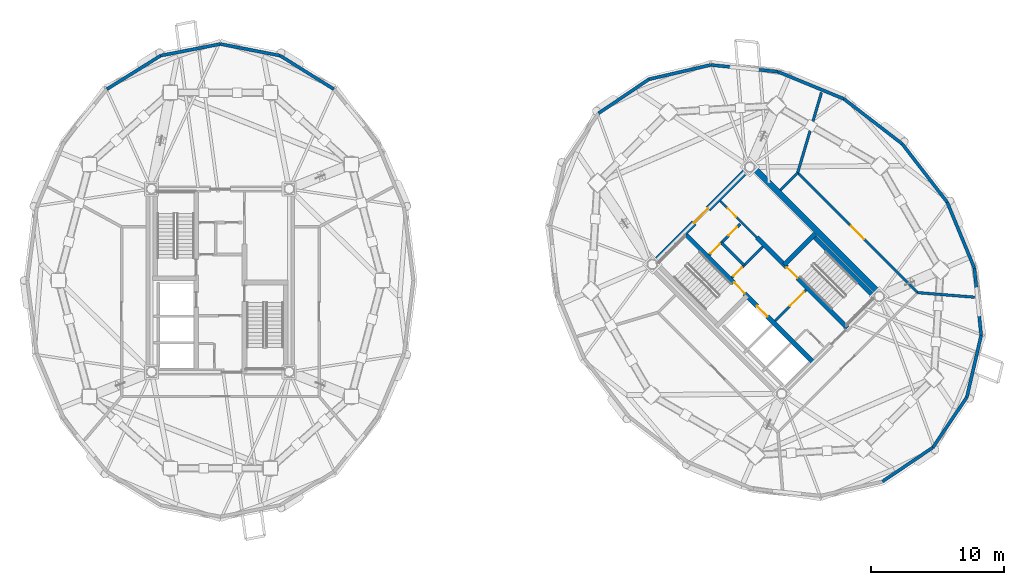
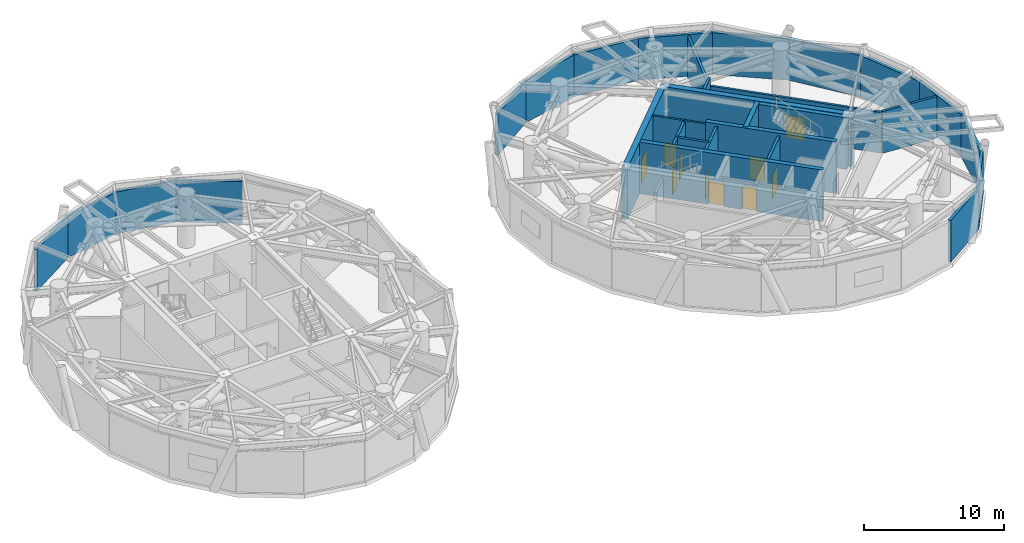
# One storey, part 12 of 16: 30 walls, 10 doors, 10 openings.
"""IFC4 building model written with IfcOpenShell, lengths in metres."""

from ifc_helpers import new_model, si_unit, direction, frame, frame_2d, origin, place, context, subcontext, project, spatial, rectangle, extrude, source, transform, mapped, material, layer, layer_set, type_object, element, fill, save


model = new_model("IFC4")

# Units and contexts
model_context = context("Model", 3, precision=1e-05, world=origin(), true_north=direction((0.0, 1.0)))
body_context = subcontext(model_context, "Body", "Model", "MODEL_VIEW")
ifc_project = project(units=[si_unit("LENGTHUNIT", "METRE"), si_unit("AREAUNIT", "SQUARE_METRE"), si_unit("VOLUMEUNIT", "CUBIC_METRE"), si_unit("PLANEANGLEUNIT", "RADIAN"), si_unit("MASSUNIT", "GRAM", prefix="KILO")], contexts=[model_context])

# Site, building, storey
site_placement = place(None, origin())
site = spatial("IfcSite", under=ifc_project, at=site_placement, CompositionType="ELEMENT")
building_placement = place(site_placement, origin())
building = spatial("IfcBuilding", under=site, at=building_placement, Name="Cununo Teusaquillo Station Towers", CompositionType="ELEMENT")
storey_placement = place(building_placement, frame((0.0, 0.0, 147.10009765625)))
storey = spatial("IfcBuildingStorey", under=building, at=storey_placement, Name="L46", CompositionType="ELEMENT", Elevation=147.10009765625)

# Wall, openings, doors
ifc_material_1 = material(Name="Concrete C50/60", Category="concrete")
ifc_layer_1 = layer(ifc_material_1, 0.35009765625)
ifc_layer_set_1 = layer_set([ifc_layer_1], Name="Concrete C50/60")
wall_type_1 = type_object("IfcWallType", Name="WL-CORE-350", PredefinedType="SHEAR", material=ifc_layer_set_1)
wall_1_placement = place(storey_placement, frame((61.077880859375, 18.355224609375, 0.0), z_axis=(0.0, 0.0, 1.0), x_axis=(-0.707106781187, 0.707106781187, 0.0)))
wall_1 = element("IfcWall", 1, at=wall_1_placement, inside=storey, type_object=wall_type_1, Name="L46 Tower B Core Shear Wall IW", PredefinedType="SHEAR", context=body_context, shape_type="SweptSolid", body=[
    extrude(rectangle(XDim=13.75, YDim=0.35009765625, at=frame_2d((6.875, 0.0))), origin(), (0.0, 0.0, 1.0), 4.5),
])
shared_shape_1 = source(origin(), body_context, "Body", "SweptSolid", [
    extrude(rectangle(XDim=1.10009765625, YDim=2.014892578125, at=frame_2d((0.550048828125, 1.00732421875))), frame((0.0, 0.18505859375, 0.0), z_axis=(0.0, -1.0, 0.0), x_axis=(1.0, 0.0, 0.0)), (0.0, 0.0, 1.0), 0.3701171875),
])
opening_1_placement = place(wall_1_placement, frame((4.875, 0.0, 0.0)))
opening_1 = element("IfcOpeningElement", 2, at=opening_1_placement, cuts=wall_1, Name="Opening LD-01", PredefinedType="OPENING", context=body_context, shape_type="MappedRepresentation", body=[
    mapped(shared_shape_1, transform((0.0, 0.0, 0.0), x_axis=(1.0, 0.0, 0.0), y_axis=(0.0, 1.0, 0.0), z_axis=(0.0, 0.0, 1.0), scale=1.0)),
])
shared_shape_2 = source(origin(), body_context, "Body", "SweptSolid", [
    extrude(rectangle(XDim=1.14990234375, YDim=2.02001953125, at=frame_2d((0.574951171875, 1.010009765625))), frame((0.0, 0.18505859375, 0.0), z_axis=(0.0, -1.0, 0.0), x_axis=(1.0, 0.0, 0.0)), (0.0, 0.0, 1.0), 0.3701171875),
])
opening_2_placement = place(wall_1_placement, frame((7.294921875, 0.0, 0.0)))
opening_2 = element("IfcOpeningElement", 3, at=opening_2_placement, cuts=wall_1, Name="Opening D-ST1", PredefinedType="OPENING", context=body_context, shape_type="MappedRepresentation", body=[
    mapped(shared_shape_2, transform((0.0, 0.0, 0.0), x_axis=(1.0, 0.0, 0.0), y_axis=(0.0, 1.0, 0.0), z_axis=(0.0, 0.0, 1.0), scale=1.0)),
])
ifc_material_2 = material(Name="Galvanised fire-rated hollow steel door assembly", Category="steel")
door_type_1 = type_object("IfcDoorType", Name="DR-LIFT-1100", OperationType="SLIDING_TO_LEFT", PredefinedType="DOOR", material=ifc_material_2)
shared_shape_3 = source(origin(), body_context, "Body", "SweptSolid", [
    extrude(rectangle(XDim=1.10009765625, YDim=2.014892578125, at=frame_2d((0.550048828125, 1.00732421875))), frame((0.0, 0.02490234375, 0.0), z_axis=(0.0, -1.0, 0.0), x_axis=(1.0, 0.0, 0.0)), (0.0, 0.0, 1.0), 0.050048828125),
])
door_1_placement = place(opening_1_placement, origin())
door_1 = element("IfcDoor", 4, at=door_1_placement, inside=storey, type_object=door_type_1, Name="L46 Lift FL-T2 Sliding Landing Door", OperationType="SLIDING_TO_RIGHT", OverallHeight=2.014892578125, OverallWidth=1.10009765625, PredefinedType="DOOR", context=body_context, shape_type="MappedRepresentation", body=[
    mapped(shared_shape_3, transform((0.0, 0.0, 0.0), x_axis=(1.0, 0.0, 0.0), y_axis=(0.0, 1.0, 0.0), z_axis=(0.0, 0.0, 1.0), scale=1.0)),
])
fill(opening_1, door_1)
ifc_material_3 = material(Name="Galvanised fire-rated hollow steel door assembly", Category="steel")
door_type_2 = type_object("IfcDoorType", Name="DR-STAIR-1150", OperationType="NOTDEFINED", PredefinedType="DOOR", material=ifc_material_3)
shared_shape_4 = source(origin(), body_context, "Body", "SweptSolid", [
    extrude(rectangle(XDim=1.14990234375, YDim=2.02001953125, at=frame_2d((0.574951171875, 1.010009765625))), frame((0.0, 0.02490234375, 0.0), z_axis=(0.0, -1.0, 0.0), x_axis=(1.0, 0.0, 0.0)), (0.0, 0.0, 1.0), 0.050048828125),
])
door_2_placement = place(opening_2_placement, origin())
door_2 = element("IfcDoor", 5, at=door_2_placement, inside=storey, type_object=door_type_2, Name="L46 Tower B Exit Stair 1 Fire Door", OperationType="SINGLE_SWING_RIGHT", OverallHeight=2.02001953125, OverallWidth=1.14990234375, PredefinedType="DOOR", context=body_context, shape_type="MappedRepresentation", body=[
    mapped(shared_shape_4, transform((0.0, 0.0, 0.0), x_axis=(1.0, 0.0, 0.0), y_axis=(0.0, 1.0, 0.0), z_axis=(0.0, 0.0, 1.0), scale=1.0)),
])
fill(opening_2, door_2)

# Wall, opening, door
wall_2_placement = place(storey_placement, frame((63.644775390625, 20.922119140625, 0.0), z_axis=(0.0, 0.0, 1.0), x_axis=(-0.70711946392, 0.707094098226, 0.0)))
wall_2 = element("IfcWall", 6, at=wall_2_placement, inside=storey, type_object=wall_type_1, Name="L46 Tower B Core Shear Wall IE", PredefinedType="SHEAR", context=body_context, shape_type="SweptSolid", body=[
    extrude(rectangle(XDim=9.624755859375, YDim=0.35009765625, at=frame_2d((4.8125, 0.0))), origin(), (0.0, 0.0, 1.0), 4.5),
])
opening_3_placement = place(wall_2_placement, frame((5.304931640625, 0.0, 0.0)))
opening_3 = element("IfcOpeningElement", 7, at=opening_3_placement, cuts=wall_2, Name="Opening D-ST1", PredefinedType="OPENING", context=body_context, shape_type="MappedRepresentation", body=[
    mapped(shared_shape_2, transform((0.0, 0.0, 0.0), x_axis=(1.0, 0.0, 0.0), y_axis=(0.0, 1.0, 0.0), z_axis=(0.0, 0.0, 1.0), scale=1.0)),
])
door_3_placement = place(opening_3_placement, origin())
door_3 = element("IfcDoor", 8, at=door_3_placement, inside=storey, type_object=door_type_2, Name="L46 Tower B Exit Stair 2 Fire Door", OperationType="SINGLE_SWING_LEFT", OverallHeight=2.02001953125, OverallWidth=1.14990234375, PredefinedType="DOOR", context=body_context, shape_type="MappedRepresentation", body=[
    mapped(shared_shape_4, transform((0.0, 0.0, 0.0), x_axis=(1.0, 0.0, 0.0), y_axis=(0.0, 1.0, 0.0), z_axis=(0.0, 0.0, 1.0), scale=1.0)),
])
fill(opening_3, door_3)

# Walls
wall_3_placement = place(storey_placement, frame((65.82958984375, 23.10693359375, 0.0), z_axis=(0.0, 0.0, 1.0), x_axis=(-0.707088616009, 0.707124945897, 0.0)))
element("IfcWall", 9, at=wall_3_placement, inside=storey, type_object=wall_type_1, Name="L46 Tower B Core Shear Wall ST2E", PredefinedType="SHEAR", context=body_context, shape_type="SweptSolid", body=[
    extrude(rectangle(XDim=6.72021484375, YDim=0.35009765625, at=frame_2d((3.360107421875, 0.0))), origin(), (0.0, 0.0, 1.0), 4.5),
])
wall_4_placement = place(storey_placement, frame((58.89306640625, 25.673828125, 0.0), z_axis=(0.0, 0.0, 1.0), x_axis=(0.707106781187, 0.707106781187, 0.0)))
element("IfcWall", 10, at=wall_4_placement, inside=storey, type_object=wall_type_1, Name="L46 Tower B Core Shear Wall ST2N", PredefinedType="SHEAR", context=body_context, shape_type="SweptSolid", body=[
    extrude(rectangle(XDim=3.284912109375, YDim=0.35009765625, at=frame_2d((1.642578125, 0.0))), origin(), (0.0, 0.0, 1.0), 4.5),
])
ifc_material_4 = material(Name="Concrete C60/75", Category="concrete")
ifc_layer_2 = layer(ifc_material_4, 0.449951171875)
ifc_layer_set_2 = layer_set([ifc_layer_2], Name="Concrete C60/75")
wall_type_2 = type_object("IfcWallType", Name="WL-CORE-450", PredefinedType="SHEAR", material=ifc_layer_set_2)
wall_5_placement = place(storey_placement, frame((66.303466796875, 23.2626953125, 0.0), z_axis=(0.0, 0.0, 1.0), x_axis=(-0.707106781187, 0.707106781187, 0.0)))
element("IfcWall", 11, at=wall_5_placement, inside=storey, type_object=wall_type_2, Name="L46 Tower B Core Shear Wall E", PredefinedType="SHEAR", context=body_context, shape_type="SweptSolid", body=[
    extrude(rectangle(XDim=14.19970703125, YDim=0.449951171875, at=frame_2d((7.099853515625, 0.0))), origin(), (0.0, 0.0, 1.0), 4.5),
])

# Wall, opening, door
wall_6_placement = place(storey_placement, frame((48.855712890625, 25.578369140625, 0.0), z_axis=(0.0, 0.0, 1.0), x_axis=(0.707106781187, 0.707106781187, 0.0)))
wall_6 = element("IfcWall", 12, at=wall_6_placement, inside=storey, type_object=wall_type_2, Name="L46 Tower B Core Shear Wall N", PredefinedType="SHEAR", context=body_context, shape_type="SweptSolid", body=[
    extrude(rectangle(XDim=10.69970703125, YDim=0.449951171875, at=frame_2d((5.349853515625, 0.0))), origin(), (0.0, 0.0, 1.0), 4.5),
])
shared_shape_5 = source(origin(), body_context, "Body", "SweptSolid", [
    extrude(rectangle(XDim=1.5, YDim=2.02001953125, at=frame_2d((0.75, 1.010009765625))), frame((0.0, 0.23486328125, 0.0), z_axis=(0.0, -1.0, 0.0), x_axis=(1.0, 0.0, 0.0)), (0.0, 0.0, 1.0), 0.469970703125),
])
opening_4_placement = place(wall_6_placement, frame((4.60009765625, 0.0, 0.0)))
opening_4 = element("IfcOpeningElement", 13, at=opening_4_placement, cuts=wall_6, Name="Opening D-LB1", PredefinedType="OPENING", context=body_context, shape_type="MappedRepresentation", body=[
    mapped(shared_shape_5, transform((0.0, 0.0, 0.0), x_axis=(1.0, 0.0, 0.0), y_axis=(0.0, 1.0, 0.0), z_axis=(0.0, 0.0, 1.0), scale=1.0)),
])
ifc_material_5 = material(Name="Galvanised fire-rated hollow steel door assembly", Category="steel")
door_type_3 = type_object("IfcDoorType", Name="DR-LOBBY-1500", OperationType="DOUBLE_DOOR_SINGLE_SWING", PredefinedType="DOOR", material=ifc_material_5)
shared_shape_6 = source(origin(), body_context, "Body", "SweptSolid", [
    extrude(rectangle(XDim=1.5, YDim=2.02001953125, at=frame_2d((0.75, 1.010009765625))), frame((0.0, 0.02490234375, 0.0), z_axis=(0.0, -1.0, 0.0), x_axis=(1.0, 0.0, 0.0)), (0.0, 0.0, 1.0), 0.050048828125),
])
door_4_placement = place(opening_4_placement, origin())
door_4 = element("IfcDoor", 14, at=door_4_placement, inside=storey, type_object=door_type_3, Name="L46 Tower B North Core Lift Lobby Door", OperationType="DOUBLE_DOOR_SINGLE_SWING", OverallHeight=2.02001953125, OverallWidth=1.5, PredefinedType="DOOR", context=body_context, shape_type="MappedRepresentation", body=[
    mapped(shared_shape_6, transform((0.0, 0.0, 0.0), x_axis=(1.0, 0.0, 0.0), y_axis=(0.0, 1.0, 0.0), z_axis=(0.0, 0.0, 1.0), scale=1.0)),
])
fill(opening_4, door_4)

# Walls
ifc_material_6 = material(Name="Precast concrete C40/50", Category="concrete")
ifc_layer_3 = layer(ifc_material_6, 0.239990234375)
ifc_layer_set_3 = layer_set([ifc_layer_3], Name="Precast concrete C40/50")
wall_type_3 = type_object("IfcWallType", Name="WL-EXT-240", PredefinedType="SOLIDWALL", material=ifc_layer_set_3)
wall_7_placement = place(storey_placement, frame((20.9853515625, 41.400390625, 0.0), z_axis=(0.0, 0.0, 1.0), x_axis=(0.848452391194, -0.529271707044, 0.0)))
element("IfcWall", 15, at=wall_7_placement, inside=storey, type_object=wall_type_3, Name="L46 Tower A Exterior Facade Wall C03", PredefinedType="SOLIDWALL", context=body_context, shape_type="SweptSolid", body=[
    extrude(rectangle(XDim=4.76904296875, YDim=0.239990234375, at=frame_2d((2.384521484375, 0.0))), origin(), (0.0, 0.0, 1.0), 3.635986328125),
])
for number, where, z_axis, x_axis, name in (
    (16, (16.5, 42.27001953125, 0.0), (0.0, 0.0, 1.0), (0.981718699963, -0.190337579429, 0.0), "L46 Tower A Exterior Facade Wall C04"),
    (17, (12.0146484375, 41.400390625, 0.0), (0.0, 0.0, 1.0), (0.981718699963, 0.190337579429, 0.0), "L46 Tower A Exterior Facade Wall C05"),
):
    element("IfcWall", number, at=place(storey_placement, frame(where, z_axis=z_axis, x_axis=x_axis)), inside=storey, type_object=wall_type_3, Name=name, PredefinedType="SOLIDWALL", context=body_context, shape_type="SweptSolid", body=[
        extrude(rectangle(XDim=4.56884765625, YDim=0.239990234375, at=frame_2d((2.284423828125, 0.0))), origin(), (0.0, 0.0, 1.0), 3.635986328125),
    ])
wall_8_placement = place(storey_placement, frame((7.96826171875, 38.876220703125, 0.0), z_axis=(0.0, 0.0, 1.0), x_axis=(0.848452391194, 0.529271707044, 0.0)))
element("IfcWall", 18, at=wall_8_placement, inside=storey, type_object=wall_type_3, Name="L46 Tower A Exterior Facade Wall C06", PredefinedType="SOLIDWALL", context=body_context, shape_type="SweptSolid", body=[
    extrude(rectangle(XDim=4.76904296875, YDim=0.239990234375, at=frame_2d((2.384521484375, 0.0))), origin(), (0.0, 0.0, 1.0), 3.635986328125),
])
wall_9_placement = place(storey_placement, frame((63.37841796875, 38.144287109375, 0.0), z_axis=(0.0, 0.0, 1.0), x_axis=(0.791982658323, -0.610543584779, 0.0)))
element("IfcWall", 19, at=wall_9_placement, inside=storey, type_object=wall_type_3, Name="L46 Tower B Exterior Facade Wall C00", PredefinedType="SOLIDWALL", context=body_context, shape_type="SweptSolid", body=[
    extrude(rectangle(XDim=5.537109375, YDim=0.239990234375, at=frame_2d((2.7685546875, 0.0))), origin(), (0.0, 0.0, 1.0), 3.635986328125),
])
wall_10_placement = place(storey_placement, frame((58.417724609375, 40.189208984375, 0.0), z_axis=(0.0, 0.0, 1.0), x_axis=(0.924528197738, -0.38111364655, 0.0)))
element("IfcWall", 20, at=wall_10_placement, inside=storey, type_object=wall_type_3, Name="L46 Tower B Exterior Facade Wall C01", PredefinedType="SOLIDWALL", context=body_context, shape_type="SweptSolid", body=[
    extrude(rectangle(XDim=5.36572265625, YDim=0.239990234375, at=frame_2d((2.682861328125, 0.0))), origin(), (0.0, 0.0, 1.0), 3.635986328125),
])
wall_11_placement = place(storey_placement, frame((53.3671875, 40.6982421875, 0.0), z_axis=(0.0, 0.0, 1.0), x_axis=(0.994959267396, -0.100279889424, 0.0)))
element("IfcWall", 21, at=wall_11_placement, inside=storey, type_object=wall_type_3, Name="L46 Tower B Exterior Facade Wall C02", PredefinedType="SOLIDWALL", context=body_context, shape_type="SweptSolid", body=[
    extrude(rectangle(XDim=5.076171875, YDim=0.239990234375, at=frame_2d((2.5380859375, 0.0))), origin(), (0.0, 0.0, 1.0), 3.635986328125),
])
wall_12_placement = place(storey_placement, frame((48.72119140625, 39.6220703125, 0.0), z_axis=(0.0, 0.0, 1.0), x_axis=(0.974206226622, 0.225659540039, 0.0)))
element("IfcWall", 22, at=wall_12_placement, inside=storey, type_object=wall_type_3, Name="L46 Tower B Exterior Facade Wall C03", PredefinedType="SOLIDWALL", context=body_context, shape_type="SweptSolid", body=[
    extrude(rectangle(XDim=4.76904296875, YDim=0.239990234375, at=frame_2d((2.384521484375, 0.0))), origin(), (0.0, 0.0, 1.0), 3.635986328125),
])
for number, where, z_axis, x_axis, name in (
    (23, (44.934814453125, 37.065185546875, 0.0), (0.0, 0.0, 1.0), (0.828739009952, 0.559635286042, 0.0), "L46 Tower B Exterior Facade Wall C04"),
    (24, (70.065185546875, 11.934814453125, 0.0), (0.0, 0.0, 1.0), (-0.828739009952, -0.559635286042, 0.0), "L46 Tower B Exterior Facade Wall C14"),
    (25, (72.6220703125, 15.72119140625, 0.0), (0.0, 0.0, 1.0), (-0.559635286042, -0.828739009952, 0.0), "L46 Tower B Exterior Facade Wall C15"),
):
    element("IfcWall", number, at=place(storey_placement, frame(where, z_axis=z_axis, x_axis=x_axis)), inside=storey, type_object=wall_type_3, Name=name, PredefinedType="SOLIDWALL", context=body_context, shape_type="SweptSolid", body=[
        extrude(rectangle(XDim=4.56884765625, YDim=0.239990234375, at=frame_2d((2.284423828125, 0.0))), origin(), (0.0, 0.0, 1.0), 3.635986328125),
    ])
wall_13_placement = place(storey_placement, frame((73.6982421875, 20.3671875, 0.0), z_axis=(0.0, 0.0, 1.0), x_axis=(-0.225659540039, -0.974206226622, 0.0)))
element("IfcWall", 26, at=wall_13_placement, inside=storey, type_object=wall_type_3, Name="L46 Tower B Exterior Facade Wall C16", PredefinedType="SOLIDWALL", context=body_context, shape_type="SweptSolid", body=[
    extrude(rectangle(XDim=4.76904296875, YDim=0.239990234375, at=frame_2d((2.384521484375, 0.0))), origin(), (0.0, 0.0, 1.0), 3.635986328125),
])
wall_14_placement = place(storey_placement, frame((73.189208984375, 25.417724609375, 0.0), z_axis=(0.0, 0.0, 1.0), x_axis=(0.100279889424, -0.994959267396, 0.0)))
element("IfcWall", 27, at=wall_14_placement, inside=storey, type_object=wall_type_3, Name="L46 Tower B Exterior Facade Wall C17", PredefinedType="SOLIDWALL", context=body_context, shape_type="SweptSolid", body=[
    extrude(rectangle(XDim=5.076171875, YDim=0.239990234375, at=frame_2d((2.5380859375, 0.0))), origin(), (0.0, 0.0, 1.0), 3.635986328125),
])
wall_15_placement = place(storey_placement, frame((71.144287109375, 30.37841796875, 0.0), z_axis=(0.0, 0.0, 1.0), x_axis=(0.38111364655, -0.924528197738, 0.0)))
element("IfcWall", 28, at=wall_15_placement, inside=storey, type_object=wall_type_3, Name="L46 Tower B Exterior Facade Wall C18", PredefinedType="SOLIDWALL", context=body_context, shape_type="SweptSolid", body=[
    extrude(rectangle(XDim=5.36572265625, YDim=0.239990234375, at=frame_2d((2.682861328125, 0.0))), origin(), (0.0, 0.0, 1.0), 3.635986328125),
])
wall_16_placement = place(storey_placement, frame((67.763671875, 34.763671875, 0.0), z_axis=(0.0, 0.0, 1.0), x_axis=(0.610543584779, -0.791982658323, 0.0)))
element("IfcWall", 29, at=wall_16_placement, inside=storey, type_object=wall_type_3, Name="L46 Tower B Exterior Facade Wall C19", PredefinedType="SOLIDWALL", context=body_context, shape_type="SweptSolid", body=[
    extrude(rectangle(XDim=5.537109375, YDim=0.239990234375, at=frame_2d((2.7685546875, 0.0))), origin(), (0.0, 0.0, 1.0), 3.635986328125),
])

# Wall, opening, door
ifc_material_7 = material(Name="Fire-rated gypsum plasterboard partition assembly", Category="gypsum")
ifc_layer_4 = layer(ifc_material_7, 0.159912109375)
ifc_layer_set_4 = layer_set([ifc_layer_4], Name="Fire-rated gypsum plasterboard partition assembly")
wall_type_4 = type_object("IfcWallType", Name="WL-PART-160", PredefinedType="PARTITIONING", material=ifc_layer_set_4)
wall_17_placement = place(storey_placement, frame((56.8388671875, 27.727783203125, 0.0), z_axis=(0.0, 0.0, 1.0), x_axis=(-0.707106781187, 0.707106781187, 0.0)))
wall_17 = element("IfcWall", 30, at=wall_17_placement, inside=storey, type_object=wall_type_4, Name="L46 Tower B Reclaimed Core Bay Entry Wall", PredefinedType="PARTITIONING", context=body_context, shape_type="SweptSolid", body=[
    extrude(rectangle(XDim=3.900146484375, YDim=0.159912109375, at=frame_2d((1.9501953125, 0.0))), origin(), (0.0, 0.0, 1.0), 4.264892578125),
])
shared_shape_7 = source(origin(), body_context, "Body", "SweptSolid", [
    extrude(rectangle(XDim=0.89990234375, YDim=2.0048828125, at=frame_2d((0.449951171875, 1.00244140625))), frame((0.0, 0.08984375, 0.0), z_axis=(0.0, -1.0, 0.0), x_axis=(1.0, 0.0, 0.0)), (0.0, 0.0, 1.0), 0.179931640625),
])
opening_5_placement = place(wall_17_placement, frame((2.199951171875, 0.0, 0.0)))
opening_5 = element("IfcOpeningElement", 31, at=opening_5_placement, cuts=wall_17, Name="Opening D-IN1", PredefinedType="OPENING", context=body_context, shape_type="MappedRepresentation", body=[
    mapped(shared_shape_7, transform((0.0, 0.0, 0.0), x_axis=(1.0, 0.0, 0.0), y_axis=(0.0, 1.0, 0.0), z_axis=(0.0, 0.0, 1.0), scale=1.0)),
])
ifc_material_8 = material(Name="Acoustic solid-core hardwood leaf assembly", Category="wood")
door_type_4 = type_object("IfcDoorType", Name="DR-INT-900", OperationType="NOTDEFINED", PredefinedType="DOOR", material=ifc_material_8)
shared_shape_8 = source(origin(), body_context, "Body", "SweptSolid", [
    extrude(rectangle(XDim=0.89990234375, YDim=2.0048828125, at=frame_2d((0.449951171875, 1.00244140625))), frame((0.0, 0.02490234375, 0.0), z_axis=(0.0, -1.0, 0.0), x_axis=(1.0, 0.0, 0.0)), (0.0, 0.0, 1.0), 0.050048828125),
])
door_5_placement = place(opening_5_placement, origin())
door_5 = element("IfcDoor", 32, at=door_5_placement, inside=storey, type_object=door_type_4, Name="L46 Tower B Reclaimed Core Lounge Door", OperationType="SINGLE_SWING_RIGHT", OverallHeight=2.0048828125, OverallWidth=0.89990234375, PredefinedType="DOOR", context=body_context, shape_type="MappedRepresentation", body=[
    mapped(shared_shape_8, transform((0.0, 0.0, 0.0), x_axis=(1.0, 0.0, 0.0), y_axis=(0.0, 1.0, 0.0), z_axis=(0.0, 0.0, 1.0), scale=1.0)),
])
fill(opening_5, door_5)

ifc_material_9 = material(Name="Fire-rated gypsum plasterboard partition assembly", Category="gypsum")
ifc_layer_5 = layer(ifc_material_9, 0.179931640625)
ifc_layer_set_5 = layer_set([ifc_layer_5], Name="Fire-rated gypsum plasterboard partition assembly")
wall_type_5 = type_object("IfcWallType", Name="WL-PART-180", PredefinedType="PARTITIONING", material=ifc_layer_set_5)
wall_18_placement = place(storey_placement, frame((68.919921875, 23.580810546875, 0.0), z_axis=(0.0, 0.0, 1.0), x_axis=(-0.707106781187, 0.707106781187, 0.0)))
wall_18 = element("IfcWall", 33, at=wall_18_placement, inside=storey, type_object=wall_type_5, Name="L46 Tower B Protected Plant Corridor Wall E", PredefinedType="PARTITIONING", context=body_context, shape_type="SweptSolid", body=[
    extrude(rectangle(XDim=12.75, YDim=0.179931640625, at=frame_2d((6.375, 0.0))), origin(), (0.0, 0.0, 1.0), 3.555908203125),
])
shared_shape_9 = source(origin(), body_context, "Body", "SweptSolid", [
    extrude(rectangle(XDim=1.39990234375, YDim=2.02001953125, at=frame_2d((0.699951171875, 1.010009765625))), frame((0.0, 0.099853515625, 0.0), z_axis=(0.0, -1.0, 0.0), x_axis=(1.0, 0.0, 0.0)), (0.0, 0.0, 1.0), 0.199951171875),
])
opening_6_placement = place(wall_18_placement, frame((5.675048828125, 0.0, 0.0)))
opening_6 = element("IfcOpeningElement", 34, at=opening_6_placement, cuts=wall_18, Name="Opening D-PL1", PredefinedType="OPENING", context=body_context, shape_type="MappedRepresentation", body=[
    mapped(shared_shape_9, transform((0.0, 0.0, 0.0), x_axis=(1.0, 0.0, 0.0), y_axis=(0.0, 1.0, 0.0), z_axis=(0.0, 0.0, 1.0), scale=1.0)),
])
ifc_material_10 = material(Name="Galvanised fire-rated hollow steel door assembly", Category="steel")
door_type_5 = type_object("IfcDoorType", Name="DR-PLANT-1400", OperationType="NOTDEFINED", PredefinedType="DOOR", material=ifc_material_10)
shared_shape_10 = source(origin(), body_context, "Body", "SweptSolid", [
    extrude(rectangle(XDim=1.39990234375, YDim=2.02001953125, at=frame_2d((0.699951171875, 1.010009765625))), frame((0.0, 0.02490234375, 0.0), z_axis=(0.0, -1.0, 0.0), x_axis=(1.0, 0.0, 0.0)), (0.0, 0.0, 1.0), 0.050048828125),
])
door_6_placement = place(opening_6_placement, origin())
door_6 = element("IfcDoor", 35, at=door_6_placement, inside=storey, type_object=door_type_5, Name="L46 Tower B Plant Room E Double Door", OperationType="SINGLE_SWING_LEFT", OverallHeight=2.02001953125, OverallWidth=1.39990234375, PredefinedType="DOOR", context=body_context, shape_type="MappedRepresentation", body=[
    mapped(shared_shape_10, transform((0.0, 0.0, 0.0), x_axis=(1.0, 0.0, 0.0), y_axis=(0.0, 1.0, 0.0), z_axis=(0.0, 0.0, 1.0), scale=1.0)),
])
fill(opening_6, door_6)

ifc_material_11 = material(Name="Fire-rated gypsum plasterboard partition assembly", Category="gypsum")
ifc_layer_6 = layer(ifc_material_11, 0.199951171875)
ifc_layer_set_6 = layer_set([ifc_layer_6], Name="Fire-rated gypsum plasterboard partition assembly")
wall_type_6 = type_object("IfcWallType", Name="WL-PART-200", PredefinedType="PARTITIONING", material=ifc_layer_set_6)
wall_19_placement = place(storey_placement, frame((58.214111328125, 21.466552734375, 0.0), z_axis=(0.0, 0.0, 1.0), x_axis=(0.707106781187, 0.707106781187, 0.0)))
wall_19 = element("IfcWall", 36, at=wall_19_placement, inside=storey, type_object=wall_type_6, Name="L46 Tower B Firefighting Lift Lobby South Fire Wall", PredefinedType="PARTITIONING", context=body_context, shape_type="SweptSolid", body=[
    extrude(rectangle(XDim=3.280029296875, YDim=0.199951171875, at=frame_2d((1.64013671875, 0.0))), origin(), (0.0, 0.0, 1.0), 4.264892578125),
])
shared_shape_11 = source(origin(), body_context, "Body", "SweptSolid", [
    extrude(rectangle(XDim=1.5, YDim=2.02001953125, at=frame_2d((0.75, 1.010009765625))), frame((0.0, 0.10986328125, 0.0), z_axis=(0.0, -1.0, 0.0), x_axis=(1.0, 0.0, 0.0)), (0.0, 0.0, 1.0), 0.219970703125),
])
opening_7_placement = place(wall_19_placement, frame((1.550048828125, 0.0, 0.0)))
opening_7 = element("IfcOpeningElement", 37, at=opening_7_placement, cuts=wall_19, Name="Opening D-LB1", PredefinedType="OPENING", context=body_context, shape_type="MappedRepresentation", body=[
    mapped(shared_shape_11, transform((0.0, 0.0, 0.0), x_axis=(1.0, 0.0, 0.0), y_axis=(0.0, 1.0, 0.0), z_axis=(0.0, 0.0, 1.0), scale=1.0)),
])
door_7_placement = place(opening_7_placement, origin())
door_7 = element("IfcDoor", 38, at=door_7_placement, inside=storey, type_object=door_type_3, Name="L46 Tower B Firefighting Lift Lobby South Fire Door", OperationType="DOUBLE_DOOR_SINGLE_SWING", OverallHeight=2.02001953125, OverallWidth=1.5, PredefinedType="DOOR", context=body_context, shape_type="MappedRepresentation", body=[
    mapped(shared_shape_6, transform((0.0, 0.0, 0.0), x_axis=(1.0, 0.0, 0.0), y_axis=(0.0, 1.0, 0.0), z_axis=(0.0, 0.0, 1.0), scale=1.0)),
])
fill(opening_7, door_7)

wall_20_placement = place(storey_placement, frame((54.96142578125, 24.71923828125, 0.0), z_axis=(0.0, 0.0, 1.0), x_axis=(0.707106781187, 0.707106781187, 0.0)))
wall_20 = element("IfcWall", 39, at=wall_20_placement, inside=storey, type_object=wall_type_6, Name="L46 Tower B Firefighting Lift Lobby North Fire Wall", PredefinedType="PARTITIONING", context=body_context, shape_type="SweptSolid", body=[
    extrude(rectangle(XDim=3.280029296875, YDim=0.199951171875, at=frame_2d((1.64013671875, 0.0))), origin(), (0.0, 0.0, 1.0), 4.264892578125),
])
shared_shape_12 = source(origin(), body_context, "Body", "SweptSolid", [
    extrude(rectangle(XDim=0.89990234375, YDim=2.0048828125, at=frame_2d((0.449951171875, 1.00244140625))), frame((0.0, 0.10986328125, 0.0), z_axis=(0.0, -1.0, 0.0), x_axis=(1.0, 0.0, 0.0)), (0.0, 0.0, 1.0), 0.219970703125),
])
opening_8_placement = place(wall_20_placement, frame((0.159912109375, 0.0, 0.0)))
opening_8 = element("IfcOpeningElement", 40, at=opening_8_placement, cuts=wall_20, Name="Opening D-SR1", PredefinedType="OPENING", context=body_context, shape_type="MappedRepresentation", body=[
    mapped(shared_shape_12, transform((0.0, 0.0, 0.0), x_axis=(1.0, 0.0, 0.0), y_axis=(0.0, 1.0, 0.0), z_axis=(0.0, 0.0, 1.0), scale=1.0)),
])
ifc_material_12 = material(Name="Galvanised fire-rated hollow steel door assembly", Category="steel")
door_type_6 = type_object("IfcDoorType", Name="DR-STORE-900", OperationType="NOTDEFINED", PredefinedType="DOOR", material=ifc_material_12)
door_8_placement = place(opening_8_placement, origin())
door_8 = element("IfcDoor", 41, at=door_8_placement, inside=storey, type_object=door_type_6, Name="L46 Tower B Stair 1 Protected Vestibule South Door", OperationType="SINGLE_SWING_RIGHT", OverallHeight=2.0048828125, OverallWidth=0.89990234375, PredefinedType="DOOR", context=body_context, shape_type="MappedRepresentation", body=[
    mapped(shared_shape_8, transform((0.0, 0.0, 0.0), x_axis=(1.0, 0.0, 0.0), y_axis=(0.0, 1.0, 0.0), z_axis=(0.0, 0.0, 1.0), scale=1.0)),
])
fill(opening_8, door_8)

# Wall
wall_21_placement = place(storey_placement, frame((55.873779296875, 25.63134765625, 0.0), z_axis=(0.0, 0.0, 1.0), x_axis=(-0.707157639372, 0.707055919343, 0.0)))
element("IfcWall", 42, at=wall_21_placement, inside=storey, type_object=wall_type_6, Name="L46 Tower B Stair 1 Vestibule Partition Wall", PredefinedType="PARTITIONING", context=body_context, shape_type="SweptSolid", body=[
    extrude(rectangle(XDim=2.400146484375, YDim=0.199951171875, at=frame_2d((1.2001953125, 0.0))), origin(), (0.0, 0.0, 1.0), 4.264892578125),
])

# Wall, openings, doors
wall_22_placement = place(storey_placement, frame((53.264404296875, 26.416259765625, 0.0), z_axis=(0.0, 0.0, 1.0), x_axis=(0.707106781187, 0.707106781187, 0.0)))
wall_22 = element("IfcWall", 43, at=wall_22_placement, inside=storey, type_object=wall_type_6, Name="L46 Tower B North Lift Lobby South Fire Wall", PredefinedType="PARTITIONING", context=body_context, shape_type="SweptSolid", body=[
    extrude(rectangle(XDim=3.280029296875, YDim=0.199951171875, at=frame_2d((1.64013671875, 0.0))), origin(), (0.0, 0.0, 1.0), 4.264892578125),
])
shared_shape_13 = source(origin(), body_context, "Body", "SweptSolid", [
    extrude(rectangle(XDim=1.0, YDim=2.014892578125, at=frame_2d((0.5, 1.00732421875))), frame((0.0, 0.10986328125, 0.0), z_axis=(0.0, -1.0, 0.0), x_axis=(1.0, 0.0, 0.0)), (0.0, 0.0, 1.0), 0.219970703125),
])
opening_9_placement = place(wall_22_placement, frame((0.139892578125, 0.0, 0.0)))
opening_9 = element("IfcOpeningElement", 44, at=opening_9_placement, cuts=wall_22, Name="Opening D-AC1", PredefinedType="OPENING", context=body_context, shape_type="MappedRepresentation", body=[
    mapped(shared_shape_13, transform((0.0, 0.0, 0.0), x_axis=(1.0, 0.0, 0.0), y_axis=(0.0, 1.0, 0.0), z_axis=(0.0, 0.0, 1.0), scale=1.0)),
])
opening_10_placement = place(wall_22_placement, frame((2.050048828125, 0.0, 0.0)))
opening_10 = element("IfcOpeningElement", 45, at=opening_10_placement, cuts=wall_22, Name="Opening D-SR1", PredefinedType="OPENING", context=body_context, shape_type="MappedRepresentation", body=[
    mapped(shared_shape_12, transform((0.0, 0.0, 0.0), x_axis=(1.0, 0.0, 0.0), y_axis=(0.0, 1.0, 0.0), z_axis=(0.0, 0.0, 1.0), scale=1.0)),
])
door_9_placement = place(opening_10_placement, origin())
door_9 = element("IfcDoor", 46, at=door_9_placement, inside=storey, type_object=door_type_6, Name="L46 Tower B Core Housekeeping & Linen Store Door", OperationType="SINGLE_SWING_LEFT", OverallHeight=2.0048828125, OverallWidth=0.89990234375, PredefinedType="DOOR", context=body_context, shape_type="MappedRepresentation", body=[
    mapped(shared_shape_8, transform((0.0, 0.0, 0.0), x_axis=(1.0, 0.0, 0.0), y_axis=(0.0, 1.0, 0.0), z_axis=(0.0, 0.0, 1.0), scale=1.0)),
])
fill(opening_10, door_9)
ifc_material_13 = material(Name="Acoustic solid-core hardwood leaf assembly", Category="wood")
door_type_7 = type_object("IfcDoorType", Name="DR-ACC-1000", OperationType="NOTDEFINED", PredefinedType="DOOR", material=ifc_material_13)
shared_shape_14 = source(origin(), body_context, "Body", "SweptSolid", [
    extrude(rectangle(XDim=1.0, YDim=2.014892578125, at=frame_2d((0.5, 1.00732421875))), frame((0.0, 0.02490234375, 0.0), z_axis=(0.0, -1.0, 0.0), x_axis=(1.0, 0.0, 0.0)), (0.0, 0.0, 1.0), 0.050048828125),
])
door_10_placement = place(opening_9_placement, origin())
door_10 = element("IfcDoor", 47, at=door_10_placement, inside=storey, type_object=door_type_7, Name="L46 Tower B North Lift Lobby to Stair 1 Vestibule Door", OperationType="SINGLE_SWING_LEFT", OverallHeight=2.014892578125, OverallWidth=1.0, PredefinedType="DOOR", context=body_context, shape_type="MappedRepresentation", body=[
    mapped(shared_shape_14, transform((0.0, 0.0, 0.0), x_axis=(1.0, 0.0, 0.0), y_axis=(0.0, 1.0, 0.0), z_axis=(0.0, 0.0, 1.0), scale=1.0)),
])
fill(opening_9, door_10)

# Walls
wall_23_placement = place(storey_placement, frame((58.595947265625, 31.2880859375, 0.0), z_axis=(0.0, 0.0, 1.0), x_axis=(0.707106781187, 0.707106781187, 0.0)))
element("IfcWall", 48, at=wall_23_placement, inside=storey, type_object=wall_type_6, Name="L46 Tower B Sky Refuge Smoke-Stop Wall NE", PredefinedType="PARTITIONING", context=body_context, shape_type="SweptSolid", body=[
    extrude(rectangle(XDim=1.850341796875, YDim=0.199951171875, at=frame_2d((0.92529296875, 0.0))), origin(), (0.0, 0.0, 1.0), 4.264892578125),
])
wall_24_placement = place(storey_placement, frame((59.904296875, 32.596435546875, 0.0), z_axis=(0.0, 0.0, 1.0), x_axis=(0.284628951368, 0.958637762684, 0.0)))
element("IfcWall", 49, at=wall_24_placement, inside=storey, type_object=wall_type_6, Name="L46 Tower B Compartment Radial Fire Wall Q2", PredefinedType="PARTITIONING", context=body_context, shape_type="SweptSolid", body=[
    extrude(rectangle(XDim=6.2880859375, YDim=0.199951171875, at=frame_2d((3.14404296875, 0.0))), origin(), (0.0, 0.0, 1.0), 3.555908203125),
])
wall_25_placement = place(storey_placement, frame((68.919921875, 23.580810546875, 0.0), z_axis=(0.0, 0.0, 1.0), x_axis=(0.996775304462, -0.080243332526, 0.0)))
element("IfcWall", 50, at=wall_25_placement, inside=storey, type_object=wall_type_6, Name="L46 Tower B Compartment Radial Fire Wall Q3", PredefinedType="PARTITIONING", context=body_context, shape_type="SweptSolid", body=[
    extrude(rectangle(XDim=4.30517578125, YDim=0.199951171875, at=frame_2d((2.152587890625, 0.0))), origin(), (0.0, 0.0, 1.0), 3.635986328125),
])

save(model, "model.ifc")
